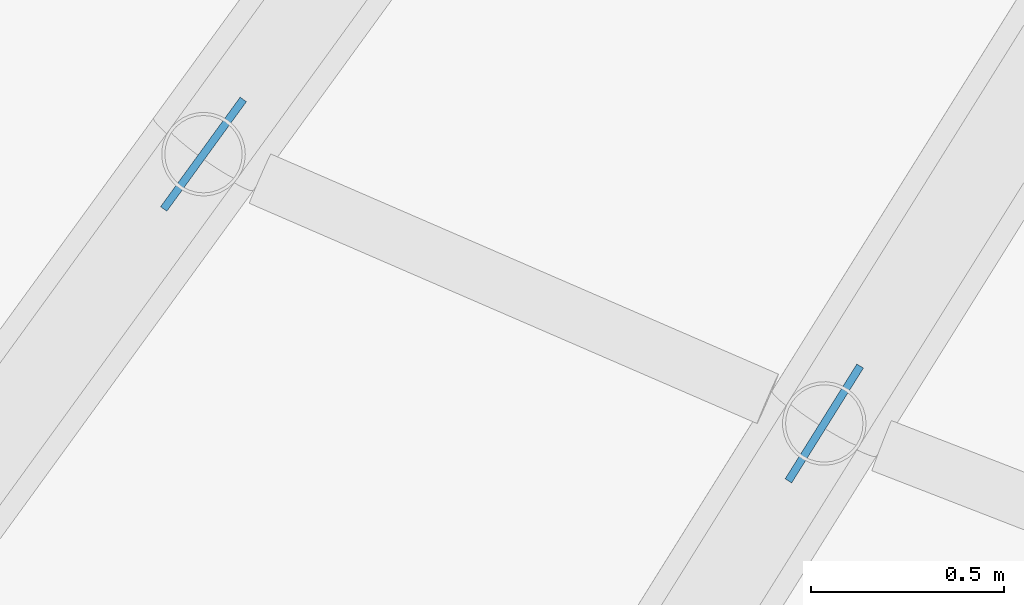
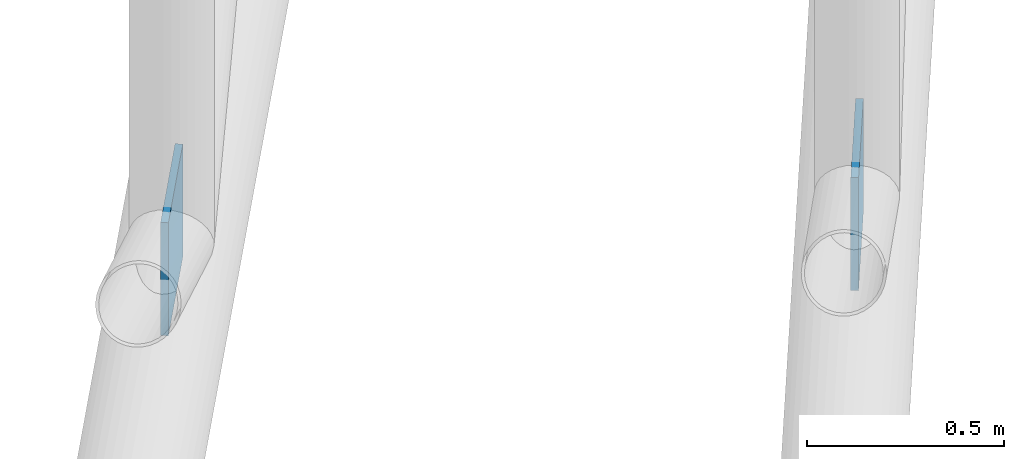
# One storey, part 129 of 163: 2 discrete accessories.
"""IFC4 building model written with IfcOpenShell, lengths in metres."""

from ifc_helpers import new_model, si_unit, direction, frame, origin, origin_2d, place, context, subcontext, project, spatial, rectangle, extrude, material, layer, layer_set, type_object, element, save


model = new_model("IFC4")

# Units and contexts
model_context = context("Model", 3, precision=1e-05, world=origin(), true_north=direction((0.0, 1.0)))
body_context = subcontext(model_context, "Body", "Model", "MODEL_VIEW")
ifc_project = project(units=[si_unit("LENGTHUNIT", "METRE"), si_unit("AREAUNIT", "SQUARE_METRE"), si_unit("VOLUMEUNIT", "CUBIC_METRE"), si_unit("PLANEANGLEUNIT", "RADIAN"), si_unit("MASSUNIT", "GRAM", prefix="KILO")], contexts=[model_context])

# Site, building, storey
site_placement = place(None, origin())
site = spatial("IfcSite", under=ifc_project, at=site_placement, CompositionType="ELEMENT")
building_placement = place(site_placement, origin())
building = spatial("IfcBuilding", under=site, at=building_placement, Name="Rain Tree Exposition and Congress Centre", CompositionType="ELEMENT")
storey_placement = place(building_placement, frame((0.0, 0.0, 10.5)))
storey = spatial("IfcBuildingStorey", under=building, at=storey_placement, Name="L02", CompositionType="ELEMENT", Elevation=10.5)

# Discrete accessories
ifc_material = material(Name="Steel plate S355J2", Category="steel")
ifc_layer = layer(ifc_material, 0.02001953125)
ifc_layer_set = layer_set([ifc_layer], Name="Steel plate S355J2")
discrete_accessory_type = type_object("IfcDiscreteAccessoryType", Name="Brace node plate 350x350x20", PredefinedType="BRACKET", material=ifc_layer_set)
for number, where, z_axis, x_axis, name in (
    (1, (187.0205078125, 47.133056640625, 0.1435546875), (0.0, 0.0, 1.0), (-0.587785252292, -0.809016994375, 0.0), "Brace node plate 350"),
    (2, (188.625732421875, 46.436767578125, 0.1435546875), (0.0, 0.0, 1.0), (-0.529919264233, -0.848048096156, 0.0), "Brace node plate 350"),
):
    element("IfcDiscreteAccessory", number, at=place(storey_placement, frame(where, z_axis=z_axis, x_axis=x_axis)), inside=storey, type_object=discrete_accessory_type, Name=name, PredefinedType="BRACKET", context=body_context, shape_type="SweptSolid", body=[
        extrude(rectangle(XDim=0.35009765625, YDim=0.02001953125, at=origin_2d()), origin(), (0.0, 0.0, 1.0), 0.35009765625),
    ])

save(model, "model.ifc")
